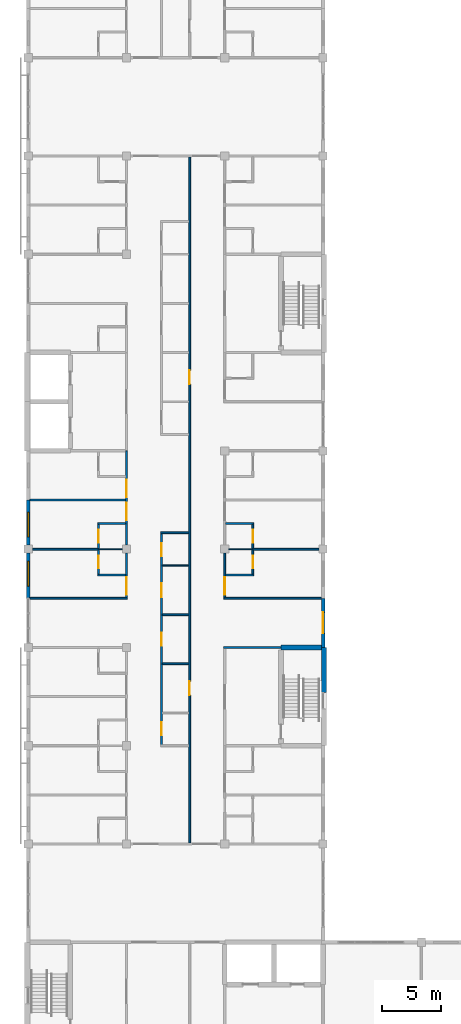
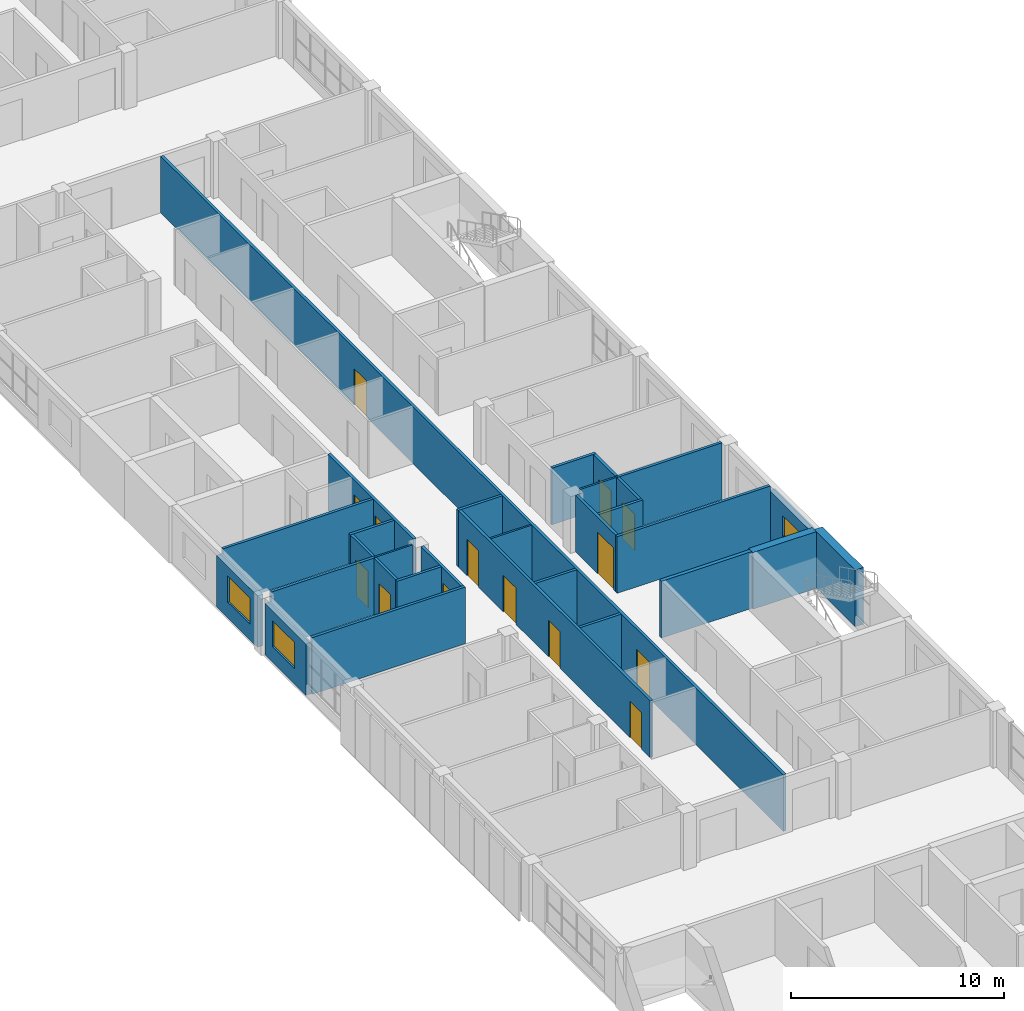
# One storey, part 28 of 46: 30 walls, 14 doors, 3 windows, 17 openings.
"""IFC4 building model written with IfcOpenShell, lengths in metres."""

from ifc_helpers import new_model, si_unit, direction, frame, frame_2d, origin, place, context, subcontext, project, spatial, rectangle, extrude, material, layer, layer_set, type_object, element, fill, save


model = new_model("IFC4")

# Units and contexts
model_context = context("Model", 3, precision=1e-05, world=origin(), true_north=direction((0.0, 1.0)))
body_context = subcontext(model_context, "Body", "Model", "MODEL_VIEW")
ifc_project = project(units=[si_unit("LENGTHUNIT", "METRE"), si_unit("AREAUNIT", "SQUARE_METRE"), si_unit("VOLUMEUNIT", "CUBIC_METRE"), si_unit("PLANEANGLEUNIT", "RADIAN"), si_unit("MASSUNIT", "GRAM", prefix="KILO")], contexts=[model_context])

# Site, building, storey
site_placement = place(None, origin())
site = spatial("IfcSite", under=ifc_project, at=site_placement, CompositionType="ELEMENT")
building_placement = place(site_placement, origin())
building = spatial("IfcBuilding", under=site, at=building_placement, Name="Yavir Park General Hospital", CompositionType="ELEMENT")
storey_placement = place(building_placement, frame((0.0, 0.0, 18.89990234375)))
storey = spatial("IfcBuildingStorey", under=building, at=storey_placement, Name="L04", CompositionType="ELEMENT", Elevation=18.89990234375)

# Walls
ifc_material_1 = material(Name="Double gypsum board fire partition on steel studs", Category="steel")
ifc_layer_1 = layer(ifc_material_1, 0.199951171875)
ifc_layer_set_1 = layer_set([ifc_layer_1], Name="Double gypsum board fire partition on steel studs")
wall_type_1 = type_object("IfcWallType", Name="Fire-rated partition 200, EI 60", PredefinedType="PARTITIONING", material=ifc_layer_set_1)
wall_1_placement = place(storey_placement, frame((16.699951171875, 50.39990234375, 0.0), z_axis=(0.0, 0.0, 1.0), x_axis=(1.0, 0.0, 0.0)))
element("IfcWall", 1, at=wall_1_placement, inside=storey, type_object=wall_type_1, Name="FP20 L04-076", PredefinedType="PARTITIONING", context=body_context, shape_type="SweptSolid", body=[
    extrude(rectangle(XDim=4.900146484375, YDim=0.199951171875, at=frame_2d((2.4501953125, 0.0))), origin(), (0.0, 0.0, 1.0), 3.260009765625),
])
ifc_material_2 = material(Name="Gypsum board partition on steel studs", Category="steel")
ifc_layer_2 = layer(ifc_material_2, 0.10009765625)
ifc_layer_set_2 = layer_set([ifc_layer_2], Name="Gypsum board partition on steel studs")
wall_type_2 = type_object("IfcWallType", Name="Gypsum board partition 100", PredefinedType="PARTITIONING", material=ifc_layer_set_2)
wall_2_placement = place(storey_placement, frame((11.47509765625, 57.39990234375, 0.0), z_axis=(0.0, 0.0, 1.0), x_axis=(1.0, 0.0, 0.0)))
element("IfcWall", 2, at=wall_2_placement, inside=storey, type_object=wall_type_2, Name="P10 L04-083", PredefinedType="PARTITIONING", context=body_context, shape_type="SweptSolid", body=[
    extrude(rectangle(XDim=2.25, YDim=0.10009765625, at=frame_2d((1.125, 0.0))), origin(), (0.0, 0.0, 1.0), 3.260009765625),
])
for number, where, z_axis, x_axis, name in (
    (3, (6.0, 58.800048828125, 0.0), (0.0, 0.0, 1.0), (1.0, 0.0, 0.0), "P10 L04-085"),
    (4, (17.14990234375, 58.800048828125, 0.0), (0.0, 0.0, 1.0), (1.0, 0.0, 0.0), "P10 L04-086"),
):
    element("IfcWall", number, at=place(storey_placement, frame(where, z_axis=z_axis, x_axis=x_axis)), inside=storey, type_object=wall_type_2, Name=name, PredefinedType="PARTITIONING", context=body_context, shape_type="SweptSolid", body=[
        extrude(rectangle(XDim=2.050048828125, YDim=0.10009765625, at=frame_2d((1.02490234375, 0.0))), origin(), (0.0, 0.0, 1.0), 3.260009765625),
    ])
ifc_material_3 = material(Name="Gypsum board partition on steel studs", Category="steel")
ifc_layer_3 = layer(ifc_material_3, 0.14990234375)
ifc_layer_set_3 = layer_set([ifc_layer_3], Name="Gypsum board partition on steel studs")
wall_type_3 = type_object("IfcWallType", Name="Gypsum board partition 150", PredefinedType="PARTITIONING", material=ifc_layer_set_3)
for number, where, z_axis, x_axis, name in (
    (5, (11.47509765625, 49.0, 0.0), (0.0, 0.0, 1.0), (1.0, 0.0, 0.0), "P15 L04-074"),
    (6, (11.47509765625, 53.199951171875, 0.0), (0.0, 0.0, 1.0), (1.0, 0.0, 0.0), "P15 L04-078"),
):
    element("IfcWall", number, at=place(storey_placement, frame(where, z_axis=z_axis, x_axis=x_axis)), inside=storey, type_object=wall_type_3, Name=name, PredefinedType="PARTITIONING", context=body_context, shape_type="SweptSolid", body=[
        extrude(rectangle(XDim=2.25, YDim=0.14990234375, at=frame_2d((1.125, 0.0))), origin(), (0.0, 0.0, 1.0), 3.260009765625),
    ])
wall_3_placement = place(storey_placement, frame((0.14990234375, 54.60009765625, 0.0), z_axis=(0.0, 0.0, 1.0), x_axis=(1.0, 0.0, 0.0)))
element("IfcWall", 7, at=wall_3_placement, inside=storey, type_object=wall_type_3, Name="P15 L04-079", PredefinedType="PARTITIONING", context=body_context, shape_type="SweptSolid", body=[
    extrude(rectangle(XDim=8.3251953125, YDim=0.14990234375, at=frame_2d((4.16259765625, 0.0))), origin(), (0.0, 0.0, 1.0), 3.260009765625),
])
wall_4_placement = place(storey_placement, frame((16.72509765625, 54.60009765625, 0.0), z_axis=(0.0, 0.0, 1.0), x_axis=(1.0, 0.0, 0.0)))
element("IfcWall", 8, at=wall_4_placement, inside=storey, type_object=wall_type_3, Name="P15 L04-080", PredefinedType="PARTITIONING", context=body_context, shape_type="SweptSolid", body=[
    extrude(rectangle(XDim=8.324951171875, YDim=0.14990234375, at=frame_2d((4.16259765625, 0.0))), origin(), (0.0, 0.0, 1.0), 3.260009765625),
])
for number, where, z_axis, x_axis, name in (
    (9, (5.925048828125, 56.60009765625, 0.0), (0.0, 0.0, 1.0), (1.0, 0.0, 0.0), "P15 L04-081"),
    (10, (16.875, 56.60009765625, 0.0), (0.0, 0.0, 1.0), (1.0, 0.0, 0.0), "P15 L04-082"),
):
    element("IfcWall", number, at=place(storey_placement, frame(where, z_axis=z_axis, x_axis=x_axis)), inside=storey, type_object=wall_type_3, Name=name, PredefinedType="PARTITIONING", context=body_context, shape_type="SweptSolid", body=[
        extrude(rectangle(XDim=2.39990234375, YDim=0.14990234375, at=frame_2d((1.199951171875, 0.0))), origin(), (0.0, 0.0, 1.0), 3.260009765625),
    ])
wall_5_placement = place(storey_placement, frame((0.35009765625, 58.800048828125, 0.0), z_axis=(0.0, 0.0, 1.0), x_axis=(1.0, 0.0, 0.0)))
element("IfcWall", 11, at=wall_5_placement, inside=storey, type_object=wall_type_3, Name="P15 L04-084", PredefinedType="PARTITIONING", context=body_context, shape_type="SweptSolid", body=[
    extrude(rectangle(XDim=5.64990234375, YDim=0.14990234375, at=frame_2d((2.824951171875, 0.0))), origin(), (0.0, 0.0, 1.0), 3.260009765625),
])
wall_6_placement = place(storey_placement, frame((19.199951171875, 58.800048828125, 0.0), z_axis=(0.0, 0.0, 1.0), x_axis=(1.0, 0.0, 0.0)))
element("IfcWall", 12, at=wall_6_placement, inside=storey, type_object=wall_type_3, Name="P15 L04-087", PredefinedType="PARTITIONING", context=body_context, shape_type="SweptSolid", body=[
    extrude(rectangle(XDim=5.650146484375, YDim=0.14990234375, at=frame_2d((2.8251953125, 0.0))), origin(), (0.0, 0.0, 1.0), 3.260009765625),
])
wall_7_placement = place(storey_placement, frame((11.324951171875, 60.199951171875, 0.0), z_axis=(0.0, 0.0, 1.0), x_axis=(1.0, 0.0, 0.0)))
element("IfcWall", 13, at=wall_7_placement, inside=storey, type_object=wall_type_3, Name="P15 L04-088", PredefinedType="PARTITIONING", context=body_context, shape_type="SweptSolid", body=[
    extrude(rectangle(XDim=2.400146484375, YDim=0.14990234375, at=frame_2d((1.2001953125, 0.0))), origin(), (0.0, 0.0, 1.0), 3.260009765625),
])
for number, where, z_axis, x_axis, name in (
    (14, (5.925048828125, 61.0, 0.0), (0.0, 0.0, 1.0), (1.0, 0.0, 0.0), "P15 L04-089"),
    (15, (16.875, 61.0, 0.0), (0.0, 0.0, 1.0), (1.0, 0.0, 0.0), "P15 L04-090"),
):
    element("IfcWall", number, at=place(storey_placement, frame(where, z_axis=z_axis, x_axis=x_axis)), inside=storey, type_object=wall_type_3, Name=name, PredefinedType="PARTITIONING", context=body_context, shape_type="SweptSolid", body=[
        extrude(rectangle(XDim=2.39990234375, YDim=0.14990234375, at=frame_2d((1.199951171875, 0.0))), origin(), (0.0, 0.0, 1.0), 3.260009765625),
    ])
wall_8_placement = place(storey_placement, frame((0.14990234375, 63.0, 0.0), z_axis=(0.0, 0.0, 1.0), x_axis=(1.0, 0.0, 0.0)))
element("IfcWall", 16, at=wall_8_placement, inside=storey, type_object=wall_type_3, Name="P15 L04-091", PredefinedType="PARTITIONING", context=body_context, shape_type="SweptSolid", body=[
    extrude(rectangle(XDim=8.175048828125, YDim=0.14990234375, at=frame_2d((4.08740234375, 0.0))), origin(), (0.0, 0.0, 1.0), 3.260009765625),
])

# Wall, opening, door
wall_9_placement = place(storey_placement, frame((6.0, 56.675048828125, 0.0), z_axis=(0.0, 0.0, 1.0), x_axis=(0.0, 1.0, 0.0)))
wall_9 = element("IfcWall", 17, at=wall_9_placement, inside=storey, type_object=wall_type_3, Name="P15 L04-151", PredefinedType="PARTITIONING", context=body_context, shape_type="SweptSolid", body=[
    extrude(rectangle(XDim=2.050048828125, YDim=0.14990234375, at=frame_2d((1.02490234375, 0.0))), origin(), (0.0, 0.0, 1.0), 3.260009765625),
])
opening_1_placement = place(wall_9_placement, frame((0.47509765625, 0.0, 0.0)))
opening_1 = element("IfcOpeningElement", 18, at=opening_1_placement, cuts=wall_9, Name="Opening L04.D080", PredefinedType="OPENING", context=body_context, shape_type="SweptSolid", body=[
    extrude(rectangle(XDim=1.10009765625, YDim=2.10009765625, at=frame_2d((0.550048828125, 1.050048828125))), frame((0.0, 0.0849609375, 0.0), z_axis=(0.0, -1.0, 0.0), x_axis=(1.0, 0.0, 0.0)), (0.0, 0.0, 1.0), 0.169921875),
])
ifc_material_4 = material(Name="Hollow metal frame, solid-core timber leaf", Category="wood")
door_type_1 = type_object("IfcDoorType", Name="Single swing door 1100 x 2100", OperationType="SINGLE_SWING_LEFT", PredefinedType="DOOR", material=ifc_material_4)
door_1_placement = place(opening_1_placement, origin())
door_1 = element("IfcDoor", 19, at=door_1_placement, inside=storey, type_object=door_type_1, Name="L04.D080", OperationType="SINGLE_SWING_LEFT", OverallHeight=2.10009765625, OverallWidth=1.10009765625, PredefinedType="DOOR", context=body_context, shape_type="SweptSolid", body=[
    extrude(rectangle(XDim=1.10009765625, YDim=2.10009765625, at=frame_2d((0.550048828125, 1.050048828125))), frame((0.0, 0.02490234375, 0.0), z_axis=(0.0, -1.0, 0.0), x_axis=(1.0, 0.0, 0.0)), (0.0, 0.0, 1.0), 0.050048828125),
])
fill(opening_1, door_1)

wall_10_placement = place(storey_placement, frame((6.0, 58.875, 0.0), z_axis=(0.0, 0.0, 1.0), x_axis=(0.0, 1.0, 0.0)))
wall_10 = element("IfcWall", 20, at=wall_10_placement, inside=storey, type_object=wall_type_3, Name="P15 L04-152", PredefinedType="PARTITIONING", context=body_context, shape_type="SweptSolid", body=[
    extrude(rectangle(XDim=2.050048828125, YDim=0.14990234375, at=frame_2d((1.02490234375, 0.0))), origin(), (0.0, 0.0, 1.0), 3.260009765625),
])
opening_2_placement = place(wall_10_placement, frame((0.47509765625, 0.0, 0.0)))
opening_2 = element("IfcOpeningElement", 21, at=opening_2_placement, cuts=wall_10, Name="Opening L04.D081", PredefinedType="OPENING", context=body_context, shape_type="SweptSolid", body=[
    extrude(rectangle(XDim=1.10009765625, YDim=2.10009765625, at=frame_2d((0.550048828125, 1.050048828125))), frame((0.0, 0.0849609375, 0.0), z_axis=(0.0, -1.0, 0.0), x_axis=(1.0, 0.0, 0.0)), (0.0, 0.0, 1.0), 0.169921875),
])
door_2_placement = place(opening_2_placement, origin())
door_2 = element("IfcDoor", 22, at=door_2_placement, inside=storey, type_object=door_type_1, Name="L04.D081", OperationType="SINGLE_SWING_RIGHT", OverallHeight=2.10009765625, OverallWidth=1.10009765625, PredefinedType="DOOR", context=body_context, shape_type="SweptSolid", body=[
    extrude(rectangle(XDim=1.10009765625, YDim=2.10009765625, at=frame_2d((0.550048828125, 1.050048828125))), frame((0.0, 0.02490234375, 0.0), z_axis=(0.0, -1.0, 0.0), x_axis=(1.0, 0.0, 0.0)), (0.0, 0.0, 1.0), 0.050048828125),
])
fill(opening_2, door_2)

wall_11_placement = place(storey_placement, frame((8.39990234375, 54.675048828125, 0.0), z_axis=(0.0, 0.0, 1.0), x_axis=(0.0, 1.0, 0.0)))
wall_11 = element("IfcWall", 23, at=wall_11_placement, inside=storey, type_object=wall_type_3, Name="P15 L04-168", PredefinedType="PARTITIONING", context=body_context, shape_type="SweptSolid", body=[
    extrude(rectangle(XDim=3.77490234375, YDim=0.14990234375, at=frame_2d((1.887451171875, 0.0))), origin(), (0.0, 0.0, 1.0), 3.260009765625),
])
opening_3_placement = place(wall_11_placement, frame((0.21240234375, 0.0, 0.0)))
opening_3 = element("IfcOpeningElement", 24, at=opening_3_placement, cuts=wall_11, Name="Opening L04.D093", PredefinedType="OPENING", context=body_context, shape_type="SweptSolid", body=[
    extrude(rectangle(XDim=1.5, YDim=2.39990234375, at=frame_2d((0.75, 1.199951171875))), frame((0.0, 0.0849609375, 0.0), z_axis=(0.0, -1.0, 0.0), x_axis=(1.0, 0.0, 0.0)), (0.0, 0.0, 1.0), 0.169921875),
])
ifc_material_5 = material(Name="Solid-core timber leaves, push plates, kick plates", Category="wood")
door_type_2 = type_object("IfcDoorType", Name="Bed door, unequal leaves 1500 x 2400", OperationType="DOUBLE_DOOR_SINGLE_SWING", PredefinedType="DOOR", material=ifc_material_5)
door_3_placement = place(opening_3_placement, origin())
door_3 = element("IfcDoor", 25, at=door_3_placement, inside=storey, type_object=door_type_2, Name="L04.D093", OperationType="SINGLE_SWING_LEFT", OverallHeight=2.39990234375, OverallWidth=1.5, PredefinedType="DOOR", context=body_context, shape_type="SweptSolid", body=[
    extrude(rectangle(XDim=1.5, YDim=2.39990234375, at=frame_2d((0.75, 1.199951171875))), frame((0.0, 0.030029296875, 0.0), z_axis=(0.0, -1.0, 0.0), x_axis=(1.0, 0.0, 0.0)), (0.0, 0.0, 1.0), 0.06005859375),
])
fill(opening_3, door_3)

# Wall, openings, doors
wall_12_placement = place(storey_placement, frame((8.39990234375, 59.14990234375, 0.0), z_axis=(0.0, 0.0, 1.0), x_axis=(0.0, 1.0, 0.0)))
wall_12 = element("IfcWall", 26, at=wall_12_placement, inside=storey, type_object=wall_type_3, Name="P15 L04-169", PredefinedType="PARTITIONING", context=body_context, shape_type="SweptSolid", body=[
    extrude(rectangle(XDim=8.050048828125, YDim=0.14990234375, at=frame_2d((4.02490234375, 0.0))), origin(), (0.0, 0.0, 1.0), 3.260009765625),
])
opening_4_placement = place(wall_12_placement, frame((2.10009765625, 0.0, 0.0)))
opening_4 = element("IfcOpeningElement", 27, at=opening_4_placement, cuts=wall_12, Name="Opening L04.D094", PredefinedType="OPENING", context=body_context, shape_type="SweptSolid", body=[
    extrude(rectangle(XDim=1.5, YDim=2.39990234375, at=frame_2d((0.75, 1.199951171875))), frame((0.0, 0.0849609375, 0.0), z_axis=(0.0, -1.0, 0.0), x_axis=(1.0, 0.0, 0.0)), (0.0, 0.0, 1.0), 0.169921875),
])
opening_5_placement = place(wall_12_placement, frame((4.10009765625, 0.0, 0.0)))
opening_5 = element("IfcOpeningElement", 28, at=opening_5_placement, cuts=wall_12, Name="Opening L04.D095", PredefinedType="OPENING", context=body_context, shape_type="SweptSolid", body=[
    extrude(rectangle(XDim=1.5, YDim=2.39990234375, at=frame_2d((0.75, 1.199951171875))), frame((0.0, 0.0849609375, 0.0), z_axis=(0.0, -1.0, 0.0), x_axis=(1.0, 0.0, 0.0)), (0.0, 0.0, 1.0), 0.169921875),
])
door_4_placement = place(opening_4_placement, origin())
door_4 = element("IfcDoor", 29, at=door_4_placement, inside=storey, type_object=door_type_2, Name="L04.D094", OperationType="SINGLE_SWING_RIGHT", OverallHeight=2.39990234375, OverallWidth=1.5, PredefinedType="DOOR", context=body_context, shape_type="SweptSolid", body=[
    extrude(rectangle(XDim=1.5, YDim=2.39990234375, at=frame_2d((0.75, 1.199951171875))), frame((0.0, 0.030029296875, 0.0), z_axis=(0.0, -1.0, 0.0), x_axis=(1.0, 0.0, 0.0)), (0.0, 0.0, 1.0), 0.06005859375),
])
fill(opening_4, door_4)
door_5_placement = place(opening_5_placement, origin())
door_5 = element("IfcDoor", 30, at=door_5_placement, inside=storey, type_object=door_type_2, Name="L04.D095", OperationType="SINGLE_SWING_RIGHT", OverallHeight=2.39990234375, OverallWidth=1.5, PredefinedType="DOOR", context=body_context, shape_type="SweptSolid", body=[
    extrude(rectangle(XDim=1.5, YDim=2.39990234375, at=frame_2d((0.75, 1.199951171875))), frame((0.0, 0.030029296875, 0.0), z_axis=(0.0, -1.0, 0.0), x_axis=(1.0, 0.0, 0.0)), (0.0, 0.0, 1.0), 0.06005859375),
])
fill(opening_5, door_5)

wall_13_placement = place(storey_placement, frame((11.39990234375, 42.074951171875, 0.0), z_axis=(0.0, 0.0, 1.0), x_axis=(0.0, 1.0, 0.0)))
wall_13 = element("IfcWall", 31, at=wall_13_placement, inside=storey, type_object=wall_type_3, Name="P15 L04-177", PredefinedType="PARTITIONING", context=body_context, shape_type="SweptSolid", body=[
    extrude(rectangle(XDim=18.050048828125, YDim=0.14990234375, at=frame_2d((9.02490234375, 0.0))), origin(), (0.0, 0.0, 1.0), 3.260009765625),
])
opening_6_placement = place(wall_13_placement, frame((0.8125, 0.0, 0.0)))
opening_6 = element("IfcOpeningElement", 32, at=opening_6_placement, cuts=wall_13, Name="Opening L04.D104", PredefinedType="OPENING", context=body_context, shape_type="SweptSolid", body=[
    extrude(rectangle(XDim=1.10009765625, YDim=2.10009765625, at=frame_2d((0.550048828125, 1.050048828125))), frame((0.0, 0.0849609375, 0.0), z_axis=(0.0, -1.0, 0.0), x_axis=(1.0, 0.0, 0.0)), (0.0, 0.0, 1.0), 0.169921875),
])
opening_7_placement = place(wall_13_placement, frame((8.47509765625, 0.0, 0.0)))
opening_7 = element("IfcOpeningElement", 33, at=opening_7_placement, cuts=wall_13, Name="Opening L04.D105", PredefinedType="OPENING", context=body_context, shape_type="SweptSolid", body=[
    extrude(rectangle(XDim=1.10009765625, YDim=2.10009765625, at=frame_2d((0.550048828125, 1.050048828125))), frame((0.0, 0.0849609375, 0.0), z_axis=(0.0, -1.0, 0.0), x_axis=(1.0, 0.0, 0.0)), (0.0, 0.0, 1.0), 0.169921875),
])
opening_8_placement = place(wall_13_placement, frame((12.625, 0.0, 0.0)))
opening_8 = element("IfcOpeningElement", 34, at=opening_8_placement, cuts=wall_13, Name="Opening L04.D106", PredefinedType="OPENING", context=body_context, shape_type="SweptSolid", body=[
    extrude(rectangle(XDim=1.199951171875, YDim=2.10009765625, at=frame_2d((0.60009765625, 1.050048828125))), frame((0.0, 0.0849609375, 0.0), z_axis=(0.0, -1.0, 0.0), x_axis=(1.0, 0.0, 0.0)), (0.0, 0.0, 1.0), 0.169921875),
])
opening_9_placement = place(wall_13_placement, frame((16.137451171875, 0.0, 0.0)))
opening_9 = element("IfcOpeningElement", 35, at=opening_9_placement, cuts=wall_13, Name="Opening L04.D107", PredefinedType="OPENING", context=body_context, shape_type="SweptSolid", body=[
    extrude(rectangle(XDim=1.10009765625, YDim=2.10009765625, at=frame_2d((0.550048828125, 1.050048828125))), frame((0.0, 0.0849609375, 0.0), z_axis=(0.0, -1.0, 0.0), x_axis=(1.0, 0.0, 0.0)), (0.0, 0.0, 1.0), 0.169921875),
])
door_6_placement = place(opening_6_placement, origin())
door_6 = element("IfcDoor", 36, at=door_6_placement, inside=storey, type_object=door_type_1, Name="L04.D104", OperationType="SINGLE_SWING_RIGHT", OverallHeight=2.10009765625, OverallWidth=1.10009765625, PredefinedType="DOOR", context=body_context, shape_type="SweptSolid", body=[
    extrude(rectangle(XDim=1.10009765625, YDim=2.10009765625, at=frame_2d((0.550048828125, 1.050048828125))), frame((0.0, 0.02490234375, 0.0), z_axis=(0.0, -1.0, 0.0), x_axis=(1.0, 0.0, 0.0)), (0.0, 0.0, 1.0), 0.050048828125),
])
fill(opening_6, door_6)
door_7_placement = place(opening_7_placement, origin())
door_7 = element("IfcDoor", 37, at=door_7_placement, inside=storey, type_object=door_type_1, Name="L04.D105", OperationType="SINGLE_SWING_LEFT", OverallHeight=2.10009765625, OverallWidth=1.10009765625, PredefinedType="DOOR", context=body_context, shape_type="SweptSolid", body=[
    extrude(rectangle(XDim=1.10009765625, YDim=2.10009765625, at=frame_2d((0.550048828125, 1.050048828125))), frame((0.0, 0.02490234375, 0.0), z_axis=(0.0, -1.0, 0.0), x_axis=(1.0, 0.0, 0.0)), (0.0, 0.0, 1.0), 0.050048828125),
])
fill(opening_7, door_7)
door_8_placement = place(opening_9_placement, origin())
door_8 = element("IfcDoor", 38, at=door_8_placement, inside=storey, type_object=door_type_1, Name="L04.D107", OperationType="SINGLE_SWING_RIGHT", OverallHeight=2.10009765625, OverallWidth=1.10009765625, PredefinedType="DOOR", context=body_context, shape_type="SweptSolid", body=[
    extrude(rectangle(XDim=1.10009765625, YDim=2.10009765625, at=frame_2d((0.550048828125, 1.050048828125))), frame((0.0, 0.02490234375, 0.0), z_axis=(0.0, -1.0, 0.0), x_axis=(1.0, 0.0, 0.0)), (0.0, 0.0, 1.0), 0.050048828125),
])
fill(opening_9, door_8)
ifc_material_6 = material(Name="Hollow metal frame, solid-core timber leaf", Category="wood")
door_type_3 = type_object("IfcDoorType", Name="Single swing door 1200 x 2100", OperationType="SINGLE_SWING_LEFT", PredefinedType="DOOR", material=ifc_material_6)
door_9_placement = place(opening_8_placement, origin())
door_9 = element("IfcDoor", 39, at=door_9_placement, inside=storey, type_object=door_type_3, Name="L04.D106", OperationType="SINGLE_SWING_LEFT", OverallHeight=2.10009765625, OverallWidth=1.199951171875, PredefinedType="DOOR", context=body_context, shape_type="SweptSolid", body=[
    extrude(rectangle(XDim=1.199951171875, YDim=2.10009765625, at=frame_2d((0.60009765625, 1.050048828125))), frame((0.0, 0.02490234375, 0.0), z_axis=(0.0, -1.0, 0.0), x_axis=(1.0, 0.0, 0.0)), (0.0, 0.0, 1.0), 0.050048828125),
])
fill(opening_8, door_9)

wall_14_placement = place(storey_placement, frame((13.800048828125, 33.699951171875, 0.0), z_axis=(0.0, 0.0, 1.0), x_axis=(0.0, 1.0, 0.0)))
wall_14 = element("IfcWall", 40, at=wall_14_placement, inside=storey, type_object=wall_type_3, Name="P15 L04-182", PredefinedType="PARTITIONING", context=body_context, shape_type="SweptSolid", body=[
    extrude(rectangle(XDim=58.60009765625, YDim=0.14990234375, at=frame_2d((29.300048828125, 0.0))), origin(), (0.0, 0.0, 1.0), 3.260009765625),
])
opening_10_placement = place(wall_14_placement, frame((12.60009765625, 0.0, 0.0)))
opening_10 = element("IfcOpeningElement", 41, at=opening_10_placement, cuts=wall_14, Name="Opening L04.D112", PredefinedType="OPENING", context=body_context, shape_type="SweptSolid", body=[
    extrude(rectangle(XDim=1.199951171875, YDim=2.10009765625, at=frame_2d((0.60009765625, 1.050048828125))), frame((0.0, 0.0849609375, 0.0), z_axis=(0.0, -1.0, 0.0), x_axis=(1.0, 0.0, 0.0)), (0.0, 0.0, 1.0), 0.169921875),
])
opening_11_placement = place(wall_14_placement, frame((39.199951171875, 0.0, 0.0)))
opening_11 = element("IfcOpeningElement", 42, at=opening_11_placement, cuts=wall_14, Name="Opening L04.D113", PredefinedType="OPENING", context=body_context, shape_type="SweptSolid", body=[
    extrude(rectangle(XDim=1.199951171875, YDim=2.10009765625, at=frame_2d((0.60009765625, 1.050048828125))), frame((0.0, 0.0849609375, 0.0), z_axis=(0.0, -1.0, 0.0), x_axis=(1.0, 0.0, 0.0)), (0.0, 0.0, 1.0), 0.169921875),
])
door_10_placement = place(opening_10_placement, origin())
door_10 = element("IfcDoor", 43, at=door_10_placement, inside=storey, type_object=door_type_3, Name="L04.D112", OperationType="SINGLE_SWING_RIGHT", OverallHeight=2.10009765625, OverallWidth=1.199951171875, PredefinedType="DOOR", context=body_context, shape_type="SweptSolid", body=[
    extrude(rectangle(XDim=1.199951171875, YDim=2.10009765625, at=frame_2d((0.60009765625, 1.050048828125))), frame((0.0, 0.02490234375, 0.0), z_axis=(0.0, -1.0, 0.0), x_axis=(1.0, 0.0, 0.0)), (0.0, 0.0, 1.0), 0.050048828125),
])
fill(opening_10, door_10)
door_11_placement = place(opening_11_placement, origin())
door_11 = element("IfcDoor", 44, at=door_11_placement, inside=storey, type_object=door_type_3, Name="L04.D113", OperationType="SINGLE_SWING_RIGHT", OverallHeight=2.10009765625, OverallWidth=1.199951171875, PredefinedType="DOOR", context=body_context, shape_type="SweptSolid", body=[
    extrude(rectangle(XDim=1.199951171875, YDim=2.10009765625, at=frame_2d((0.60009765625, 1.050048828125))), frame((0.0, 0.02490234375, 0.0), z_axis=(0.0, -1.0, 0.0), x_axis=(1.0, 0.0, 0.0)), (0.0, 0.0, 1.0), 0.050048828125),
])
fill(opening_11, door_11)

# Wall, opening, door
wall_15_placement = place(storey_placement, frame((16.800048828125, 54.675048828125, 0.0), z_axis=(0.0, 0.0, 1.0), x_axis=(0.0, 1.0, 0.0)))
wall_15 = element("IfcWall", 45, at=wall_15_placement, inside=storey, type_object=wall_type_3, Name="P15 L04-191", PredefinedType="PARTITIONING", context=body_context, shape_type="SweptSolid", body=[
    extrude(rectangle(XDim=3.77490234375, YDim=0.14990234375, at=frame_2d((1.887451171875, 0.0))), origin(), (0.0, 0.0, 1.0), 3.260009765625),
])
opening_12_placement = place(wall_15_placement, frame((0.21240234375, 0.0, 0.0)))
opening_12 = element("IfcOpeningElement", 46, at=opening_12_placement, cuts=wall_15, Name="Opening L04.D118", PredefinedType="OPENING", context=body_context, shape_type="SweptSolid", body=[
    extrude(rectangle(XDim=1.5, YDim=2.39990234375, at=frame_2d((0.75, 1.199951171875))), frame((0.0, 0.0849609375, 0.0), z_axis=(0.0, -1.0, 0.0), x_axis=(1.0, 0.0, 0.0)), (0.0, 0.0, 1.0), 0.169921875),
])
door_12_placement = place(opening_12_placement, origin())
door_12 = element("IfcDoor", 47, at=door_12_placement, inside=storey, type_object=door_type_2, Name="L04.D118", OperationType="SINGLE_SWING_RIGHT", OverallHeight=2.39990234375, OverallWidth=1.5, PredefinedType="DOOR", context=body_context, shape_type="SweptSolid", body=[
    extrude(rectangle(XDim=1.5, YDim=2.39990234375, at=frame_2d((0.75, 1.199951171875))), frame((0.0, 0.030029296875, 0.0), z_axis=(0.0, -1.0, 0.0), x_axis=(1.0, 0.0, 0.0)), (0.0, 0.0, 1.0), 0.06005859375),
])
fill(opening_12, door_12)

wall_16_placement = place(storey_placement, frame((19.199951171875, 56.675048828125, 0.0), z_axis=(0.0, 0.0, 1.0), x_axis=(0.0, 1.0, 0.0)))
wall_16 = element("IfcWall", 48, at=wall_16_placement, inside=storey, type_object=wall_type_3, Name="P15 L04-200", PredefinedType="PARTITIONING", context=body_context, shape_type="SweptSolid", body=[
    extrude(rectangle(XDim=2.050048828125, YDim=0.14990234375, at=frame_2d((1.02490234375, 0.0))), origin(), (0.0, 0.0, 1.0), 3.260009765625),
])
opening_13_placement = place(wall_16_placement, frame((0.47509765625, 0.0, 0.0)))
opening_13 = element("IfcOpeningElement", 49, at=opening_13_placement, cuts=wall_16, Name="Opening L04.D131", PredefinedType="OPENING", context=body_context, shape_type="SweptSolid", body=[
    extrude(rectangle(XDim=1.10009765625, YDim=2.10009765625, at=frame_2d((0.550048828125, 1.050048828125))), frame((0.0, 0.0849609375, 0.0), z_axis=(0.0, -1.0, 0.0), x_axis=(1.0, 0.0, 0.0)), (0.0, 0.0, 1.0), 0.169921875),
])
door_13_placement = place(opening_13_placement, origin())
door_13 = element("IfcDoor", 50, at=door_13_placement, inside=storey, type_object=door_type_1, Name="L04.D131", OperationType="SINGLE_SWING_RIGHT", OverallHeight=2.10009765625, OverallWidth=1.10009765625, PredefinedType="DOOR", context=body_context, shape_type="SweptSolid", body=[
    extrude(rectangle(XDim=1.10009765625, YDim=2.10009765625, at=frame_2d((0.550048828125, 1.050048828125))), frame((0.0, 0.02490234375, 0.0), z_axis=(0.0, -1.0, 0.0), x_axis=(1.0, 0.0, 0.0)), (0.0, 0.0, 1.0), 0.050048828125),
])
fill(opening_13, door_13)

wall_17_placement = place(storey_placement, frame((19.199951171875, 58.875, 0.0), z_axis=(0.0, 0.0, 1.0), x_axis=(0.0, 1.0, 0.0)))
wall_17 = element("IfcWall", 51, at=wall_17_placement, inside=storey, type_object=wall_type_3, Name="P15 L04-201", PredefinedType="PARTITIONING", context=body_context, shape_type="SweptSolid", body=[
    extrude(rectangle(XDim=2.050048828125, YDim=0.14990234375, at=frame_2d((1.02490234375, 0.0))), origin(), (0.0, 0.0, 1.0), 3.260009765625),
])
opening_14_placement = place(wall_17_placement, frame((0.47509765625, 0.0, 0.0)))
opening_14 = element("IfcOpeningElement", 52, at=opening_14_placement, cuts=wall_17, Name="Opening L04.D132", PredefinedType="OPENING", context=body_context, shape_type="SweptSolid", body=[
    extrude(rectangle(XDim=1.10009765625, YDim=2.10009765625, at=frame_2d((0.550048828125, 1.050048828125))), frame((0.0, 0.0849609375, 0.0), z_axis=(0.0, -1.0, 0.0), x_axis=(1.0, 0.0, 0.0)), (0.0, 0.0, 1.0), 0.169921875),
])
door_14_placement = place(opening_14_placement, origin())
door_14 = element("IfcDoor", 53, at=door_14_placement, inside=storey, type_object=door_type_1, Name="L04.D132", OperationType="SINGLE_SWING_LEFT", OverallHeight=2.10009765625, OverallWidth=1.10009765625, PredefinedType="DOOR", context=body_context, shape_type="SweptSolid", body=[
    extrude(rectangle(XDim=1.10009765625, YDim=2.10009765625, at=frame_2d((0.550048828125, 1.050048828125))), frame((0.0, 0.02490234375, 0.0), z_axis=(0.0, -1.0, 0.0), x_axis=(1.0, 0.0, 0.0)), (0.0, 0.0, 1.0), 0.050048828125),
])
fill(opening_14, door_14)

# Wall, opening, window
ifc_material_7 = material(Name="Autoclaved aerated block, mineral wool and ochre mineral render")
ifc_layer_4 = layer(ifc_material_7, 0.300048828125)
ifc_layer_set_4 = layer_set([ifc_layer_4], Name="Autoclaved aerated block, mineral wool and ochre mineral render")
wall_type_4 = type_object("IfcWallType", Name="Ochre render ward wall 300, E 30", PredefinedType="SOLIDWALL", material=ifc_layer_set_4)
wall_18_placement = place(storey_placement, frame((0.0, 54.60009765625, 0.0), z_axis=(0.0, 0.0, 1.0), x_axis=(0.0, 1.0, 0.0)))
wall_18 = element("IfcWall", 54, at=wall_18_placement, inside=storey, type_object=wall_type_4, Name="XW7 L04-086", PredefinedType="SOLIDWALL", context=body_context, shape_type="SweptSolid", body=[
    extrude(rectangle(XDim=3.849853515625, YDim=0.300048828125, at=frame_2d((1.9248046875, 0.0))), origin(), (0.0, 0.0, 1.0), 2.960205078125),
])
opening_15_placement = place(wall_18_placement, frame((1.050048828125, 0.0, 0.89990234375)))
opening_15 = element("IfcOpeningElement", 55, at=opening_15_placement, cuts=wall_18, Name="Opening WAR", PredefinedType="OPENING", context=body_context, shape_type="SweptSolid", body=[
    extrude(rectangle(XDim=2.10009765625, YDim=1.5, at=frame_2d((1.050048828125, 0.75))), frame((0.0, 0.159912109375, 0.0), z_axis=(0.0, -1.0, 0.0), x_axis=(1.0, 0.0, 0.0)), (0.0, 0.0, 1.0), 0.320068359375),
])
ifc_material_8 = material(Name="Aluminium frame, tilt-and-turn sash with opening restrictor, double glazed unit", Category="aluminium")
window_type_1 = type_object("IfcWindowType", Name="Ward window, restricted opening 2100 x 1500", PartitioningType="DOUBLE_PANEL_VERTICAL", PredefinedType="WINDOW", material=ifc_material_8)
window_1_placement = place(opening_15_placement, origin())
window_1 = element("IfcWindow", 56, at=window_1_placement, inside=storey, type_object=window_type_1, Name="WAR L04-030", OverallHeight=1.5, OverallWidth=2.10009765625, PartitioningType="DOUBLE_PANEL_VERTICAL", PredefinedType="WINDOW", context=body_context, shape_type="SweptSolid", body=[
    extrude(rectangle(XDim=2.10009765625, YDim=1.5, at=frame_2d((1.050048828125, 0.75))), frame((0.0, 0.050048828125, 0.0), z_axis=(0.0, -1.0, 0.0), x_axis=(1.0, 0.0, 0.0)), (0.0, 0.0, 1.0), 0.10009765625),
])
fill(opening_15, window_1)

wall_19_placement = place(storey_placement, frame((0.0, 59.14990234375, 0.0), z_axis=(0.0, 0.0, 1.0), x_axis=(0.0, 1.0, 0.0)))
wall_19 = element("IfcWall", 57, at=wall_19_placement, inside=storey, type_object=wall_type_4, Name="XW7 L04-087", PredefinedType="SOLIDWALL", context=body_context, shape_type="SweptSolid", body=[
    extrude(rectangle(XDim=3.85009765625, YDim=0.300048828125, at=frame_2d((1.925048828125, 0.0))), origin(), (0.0, 0.0, 1.0), 2.960205078125),
])
opening_16_placement = place(wall_19_placement, frame((0.699951171875, 0.0, 0.89990234375)))
opening_16 = element("IfcOpeningElement", 58, at=opening_16_placement, cuts=wall_19, Name="Opening WAR", PredefinedType="OPENING", context=body_context, shape_type="SweptSolid", body=[
    extrude(rectangle(XDim=2.10009765625, YDim=1.5, at=frame_2d((1.050048828125, 0.75))), frame((0.0, 0.159912109375, 0.0), z_axis=(0.0, -1.0, 0.0), x_axis=(1.0, 0.0, 0.0)), (0.0, 0.0, 1.0), 0.320068359375),
])
window_2_placement = place(opening_16_placement, origin())
window_2 = element("IfcWindow", 59, at=window_2_placement, inside=storey, type_object=window_type_1, Name="WAR L04-031", OverallHeight=1.5, OverallWidth=2.10009765625, PartitioningType="DOUBLE_PANEL_VERTICAL", PredefinedType="WINDOW", context=body_context, shape_type="SweptSolid", body=[
    extrude(rectangle(XDim=2.10009765625, YDim=1.5, at=frame_2d((1.050048828125, 0.75))), frame((0.0, 0.050048828125, 0.0), z_axis=(0.0, -1.0, 0.0), x_axis=(1.0, 0.0, 0.0)), (0.0, 0.0, 1.0), 0.10009765625),
])
fill(opening_16, window_2)

wall_20_placement = place(storey_placement, frame((25.199951171875, 50.39990234375, 0.0), z_axis=(0.0, 0.0, 1.0), x_axis=(0.0, 1.0, 0.0)))
wall_20 = element("IfcWall", 60, at=wall_20_placement, inside=storey, type_object=wall_type_4, Name="XW7 L04-110", PredefinedType="SOLIDWALL", context=body_context, shape_type="SweptSolid", body=[
    extrude(rectangle(XDim=4.2001953125, YDim=0.300048828125, at=frame_2d((2.10009765625, 0.0))), origin(), (0.0, 0.0, 1.0), 2.960205078125),
])
opening_17_placement = place(wall_20_placement, frame((1.199951171875, 0.0, 1.050048828125)))
opening_17 = element("IfcOpeningElement", 61, at=opening_17_placement, cuts=wall_20, Name="Opening WQ", PredefinedType="OPENING", context=body_context, shape_type="SweptSolid", body=[
    extrude(rectangle(XDim=1.800048828125, YDim=1.199951171875, at=frame_2d((0.89990234375, 0.60009765625))), frame((0.0, 0.159912109375, 0.0), z_axis=(0.0, -1.0, 0.0), x_axis=(1.0, 0.0, 0.0)), (0.0, 0.0, 1.0), 0.320068359375),
])
ifc_material_9 = material(Name="Aluminium frame, double glazed unit", Category="aluminium")
window_type_2 = type_object("IfcWindowType", Name="Dining room window 1800 x 1200", PartitioningType="DOUBLE_PANEL_VERTICAL", PredefinedType="WINDOW", material=ifc_material_9)
window_3_placement = place(opening_17_placement, origin())
window_3 = element("IfcWindow", 62, at=window_3_placement, inside=storey, type_object=window_type_2, Name="WQ L04-042", OverallHeight=1.199951171875, OverallWidth=1.800048828125, PartitioningType="DOUBLE_PANEL_VERTICAL", PredefinedType="WINDOW", context=body_context, shape_type="SweptSolid", body=[
    extrude(rectangle(XDim=1.800048828125, YDim=1.199951171875, at=frame_2d((0.89990234375, 0.60009765625))), frame((0.0, 0.030029296875, 0.0), z_axis=(0.0, -1.0, 0.0), x_axis=(1.0, 0.0, 0.0)), (0.0, 0.0, 1.0), 0.06005859375),
])
fill(opening_17, window_3)

# Walls
ifc_material_10 = material(Name="Concrete C35/45", Category="concrete")
ifc_layer_5 = layer(ifc_material_10, 0.39990234375)
ifc_layer_set_5 = layer_set([ifc_layer_5], Name="Concrete C35/45")
wall_type_5 = type_object("IfcWallType", Name="Reinforced concrete core wall 400, REI 150", PredefinedType="SHEAR", material=ifc_layer_set_5)
wall_21_placement = place(storey_placement, frame((21.60009765625, 50.39990234375, 0.0), z_axis=(0.0, 0.0, 1.0), x_axis=(1.0, 0.0, 0.0)))
element("IfcWall", 63, at=wall_21_placement, inside=storey, type_object=wall_type_5, Name="CW40 L04-077", PredefinedType="SHEAR", context=body_context, shape_type="SweptSolid", body=[
    extrude(rectangle(XDim=3.449951171875, YDim=0.39990234375, at=frame_2d((1.72509765625, 0.0))), origin(), (0.0, 0.0, 1.0), 3.260009765625),
])
ifc_material_11 = material(Name="Concrete C30/37 precast panel with 150 mm mineral wool insulation", Category="concrete")
ifc_layer_6 = layer(ifc_material_11, 0.449951171875)
ifc_layer_set_6 = layer_set([ifc_layer_6], Name="Concrete C30/37 precast panel with 150 mm mineral wool insulation")
wall_type_6 = type_object("IfcWallType", Name="Stair enclosure wall 450, REI 150", PredefinedType="SOLIDWALL", material=ifc_layer_set_6)
wall_22_placement = place(storey_placement, frame((25.27490234375, 46.550048828125, 0.0), z_axis=(0.0, 0.0, 1.0), x_axis=(0.0, 1.0, 0.0)))
element("IfcWall", 64, at=wall_22_placement, inside=storey, type_object=wall_type_6, Name="XW6 L04-108", PredefinedType="SOLIDWALL", context=body_context, shape_type="SweptSolid", body=[
    extrude(rectangle(XDim=3.849853515625, YDim=0.449951171875, at=frame_2d((1.9248046875, 0.0))), origin(), (0.0, 0.0, 1.0), 3.260009765625),
])

save(model, "model.ifc")
